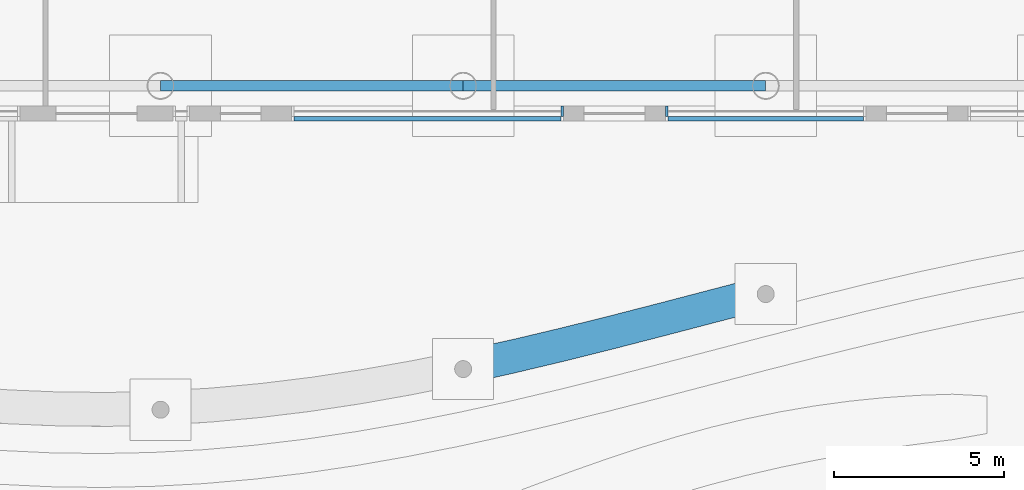
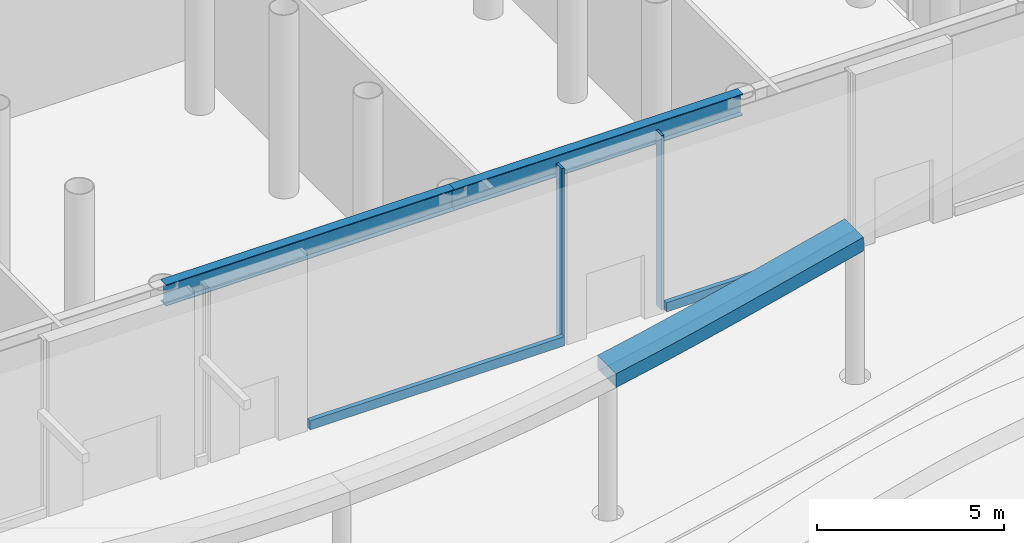
# One storey, part 10 of 75: 4 members, 3 beams, 2 elements without a shape of their own.
"""IFC4 building model written with IfcOpenShell, lengths in metres."""

from ifc_helpers import new_model, si_unit, direction, frame, origin, origin_2d, place, context, subcontext, project, spatial, polyline, rectangle, i_section, outline, extrude, material, layer, layer_set, material_profile, profile_set, type_object, element, aggregate, save


model = new_model("IFC4")

# Units and contexts
model_context = context("Model", 3, precision=1e-05, world=origin(), true_north=direction((0.0, 1.0)))
body_context = subcontext(model_context, "Body", "Model", "MODEL_VIEW")
ifc_project = project(units=[si_unit("LENGTHUNIT", "METRE"), si_unit("AREAUNIT", "SQUARE_METRE"), si_unit("VOLUMEUNIT", "CUBIC_METRE"), si_unit("PLANEANGLEUNIT", "RADIAN"), si_unit("MASSUNIT", "GRAM", prefix="KILO")], contexts=[model_context])

# Site, building, storey
site_placement = place(None, origin())
site = spatial("IfcSite", under=ifc_project, at=site_placement, CompositionType="ELEMENT")
building_placement = place(site_placement, origin())
building = spatial("IfcBuilding", under=site, at=building_placement, Name="Ipe Terrace Towers", CompositionType="ELEMENT")
storey_placement = place(building_placement, origin())
storey = spatial("IfcBuildingStorey", under=building, at=storey_placement, Name="L00", CompositionType="ELEMENT", Elevation=0.0)

# Beams
ifc_material_1 = material(Name="Steel S355", Category="steel")
ifc_material_profile_1 = material_profile(ifc_material_1, i_section(OverallWidth=0.300048828125, OverallDepth=0.699951171875, WebThickness=0.012939453125, FlangeThickness=0.02392578125, at=origin_2d()), Name="H-700x300x13x24")
ifc_profile_set_1 = profile_set([ifc_material_profile_1], Name="Steel S355")
beam_type_1 = type_object("IfcBeamType", Name="H13 DECK EDGE BEAM H-700x300x13x24", PredefinedType="BEAM", material=ifc_profile_set_1)
beam_1_placement = place(storey_placement, frame((37.889892578125, -42.14990234375, 5.22998046875), z_axis=(1.0, 0.0, 0.0), x_axis=(0.0, 1.0, 0.0)))
element("IfcBeam", 1, at=beam_1_placement, inside=storey, type_object=beam_type_1, Name="Deck edge beam PD-TB-A13-A14", PredefinedType="BEAM", context=body_context, shape_type="SweptSolid", body=[
    extrude(i_section(OverallWidth=0.300048828125, OverallDepth=0.699951171875, WebThickness=0.012939453125, FlangeThickness=0.02392578125, at=origin_2d()), origin(), (0.0, 0.0, 1.0), 8.920166015625),
])
beam_2_placement = place(storey_placement, frame((46.81005859375, -42.14990234375, 5.22998046875), z_axis=(1.0, 0.0, 0.0), x_axis=(0.0, 1.0, 0.0)))
element("IfcBeam", 2, at=beam_2_placement, inside=storey, type_object=beam_type_1, Name="Deck edge beam PD-TB-A14-A15", PredefinedType="BEAM", context=body_context, shape_type="SweptSolid", body=[
    extrude(i_section(OverallWidth=0.300048828125, OverallDepth=0.699951171875, WebThickness=0.012939453125, FlangeThickness=0.02392578125, at=origin_2d()), origin(), (0.0, 0.0, 1.0), 8.919921875),
])
ifc_material_2 = material(Name="Concrete C40/50", Category="concrete")
beam_type_2 = type_object("IfcBeamType", Name="MARQUISE EDGE BEAM C40/50 1000 x 450", PredefinedType="BEAM", material=ifc_material_2)
beam_3_placement = place(storey_placement, frame((0.0, 0.0, 4.35009765625)))
element("IfcBeam", 3, at=beam_3_placement, inside=storey, type_object=beam_type_2, Name="marquise edge beam", PredefinedType="BEAM", context=body_context, shape_type="SweptSolid", body=[
    extrude(outline(polyline([(46.81005859375, -50.950927734375), (46.81005859375, -49.950927734375), (48.297119140625, -49.6220703125), (49.782958984375, -49.26904296875), (51.27001953125, -48.89794921875), (52.757080078125, -48.514892578125), (54.242919921875, -48.1259765625), (55.72998046875, -47.739013671875), (55.72998046875, -48.739013671875), (54.242919921875, -49.1259765625), (52.757080078125, -49.514892578125), (51.27001953125, -49.89794921875), (49.782958984375, -50.26904296875), (48.297119140625, -50.6220703125), (46.81005859375, -50.950927734375)])), origin(), (0.0, 0.0, 1.0), 0.449951171875),
])

# Curtain wall, member
ifc_material_3 = material(Name="Aluminium alloy 6063-T6", Category="aluminium")
ifc_layer = layer(ifc_material_3, 0.43994140625)
ifc_layer_set = layer_set([ifc_layer], Name="PODIUM GLAZING CURTAIN WALL")
curtain_wall_type = type_object("IfcCurtainWallType", Name="PODIUM GLAZING CURTAIN WALL", PredefinedType="NOTDEFINED", material=ifc_layer_set)
curtain_wall_1_placement = place(storey_placement, origin())
curtain_wall_1 = element("IfcCurtainWall", 4, at=curtain_wall_1_placement, inside=storey, type_object=curtain_wall_type, Name="POD-CW-L00-03s curtain wall", PredefinedType="NOTDEFINED")
ifc_material_4 = material(Name="Aluminium alloy 6063-T6", Category="aluminium")
ifc_material_profile_2 = material_profile(ifc_material_4, rectangle(XDim=0.300048828125, YDim=0.080078125, at=origin_2d()), Name="PODIUM GLAZING MULLION 300 x 80")
ifc_profile_set_2 = profile_set([ifc_material_profile_2], Name="Aluminium alloy 6063-T6")
member_type_1 = type_object("IfcMemberType", Name="PODIUM GLAZING MULLION 300 x 80", PredefinedType="MULLION", material=ifc_profile_set_2)
member_1_placement = place(storey_placement, frame((49.72998046875, -42.89990234375, 0.0), z_axis=(0.0, 0.0, 1.0), x_axis=(0.0, -1.0, 0.0)))
member_1 = element("IfcMember", 5, at=member_1_placement, type_object=member_type_1, Name="POD-CW-L00-03s mullion 2", PredefinedType="MULLION", context=body_context, shape_type="SweptSolid", body=[
    extrude(rectangle(XDim=0.300048828125, YDim=0.080078125, at=origin_2d()), origin(), (0.0, 0.0, 1.0), 5.699951171875),
])

curtain_wall_2_placement = place(storey_placement, origin())
curtain_wall_2 = element("IfcCurtainWall", 6, at=curtain_wall_2_placement, inside=storey, type_object=curtain_wall_type, Name="POD-CW-L00-03u curtain wall", PredefinedType="NOTDEFINED")
member_2_placement = place(storey_placement, frame((52.81005859375, -42.89990234375, 0.0), z_axis=(0.0, 0.0, 1.0), x_axis=(0.0, -1.0, 0.0)))
member_2 = element("IfcMember", 7, at=member_2_placement, type_object=member_type_1, Name="POD-CW-L00-03u mullion 1", PredefinedType="MULLION", context=body_context, shape_type="SweptSolid", body=[
    extrude(rectangle(XDim=0.300048828125, YDim=0.080078125, at=origin_2d()), origin(), (0.0, 0.0, 1.0), 5.699951171875),
])

# Member
ifc_material_5 = material(Name="Aluminium alloy 6063-T6", Category="aluminium")
ifc_material_profile_3 = material_profile(ifc_material_5, rectangle(XDim=0.139892578125, YDim=0.300048828125, at=origin_2d()), Name="PODIUM GLAZING TRANSOM 140 x 300")
ifc_profile_set_3 = profile_set([ifc_material_profile_3], Name="Aluminium alloy 6063-T6")
member_type_2 = type_object("IfcMemberType", Name="PODIUM GLAZING TRANSOM 140 x 300", PredefinedType="USERDEFINED", material=ifc_profile_set_3)
member_3_placement = place(storey_placement, frame((41.830078125, -43.1201171875, 0.14990234375), z_axis=(1.0, 0.0, 0.0), x_axis=(0.0, -1.0, 0.0)))
member_3 = element("IfcMember", 8, at=member_3_placement, type_object=member_type_2, Name="POD-CW-L00-03s transom", ObjectType="TRANSOM", PredefinedType="USERDEFINED", context=body_context, shape_type="SweptSolid", body=[
    extrude(rectangle(XDim=0.139892578125, YDim=0.300048828125, at=origin_2d()), origin(), (0.0, 0.0, 1.0), 7.85986328125),
])

aggregate(curtain_wall_1, [member_1, member_3])

member_4_placement = place(storey_placement, frame((52.85009765625, -43.1201171875, 0.14990234375), z_axis=(1.0, 0.0, 0.0), x_axis=(0.0, -1.0, 0.0)))
member_4 = element("IfcMember", 9, at=member_4_placement, type_object=member_type_2, Name="POD-CW-L00-03u transom", ObjectType="TRANSOM", PredefinedType="USERDEFINED", context=body_context, shape_type="SweptSolid", body=[
    extrude(rectangle(XDim=0.139892578125, YDim=0.300048828125, at=origin_2d()), origin(), (0.0, 0.0, 1.0), 5.760009765625),
])

aggregate(curtain_wall_2, [member_2, member_4])

save(model, "model.ifc")
